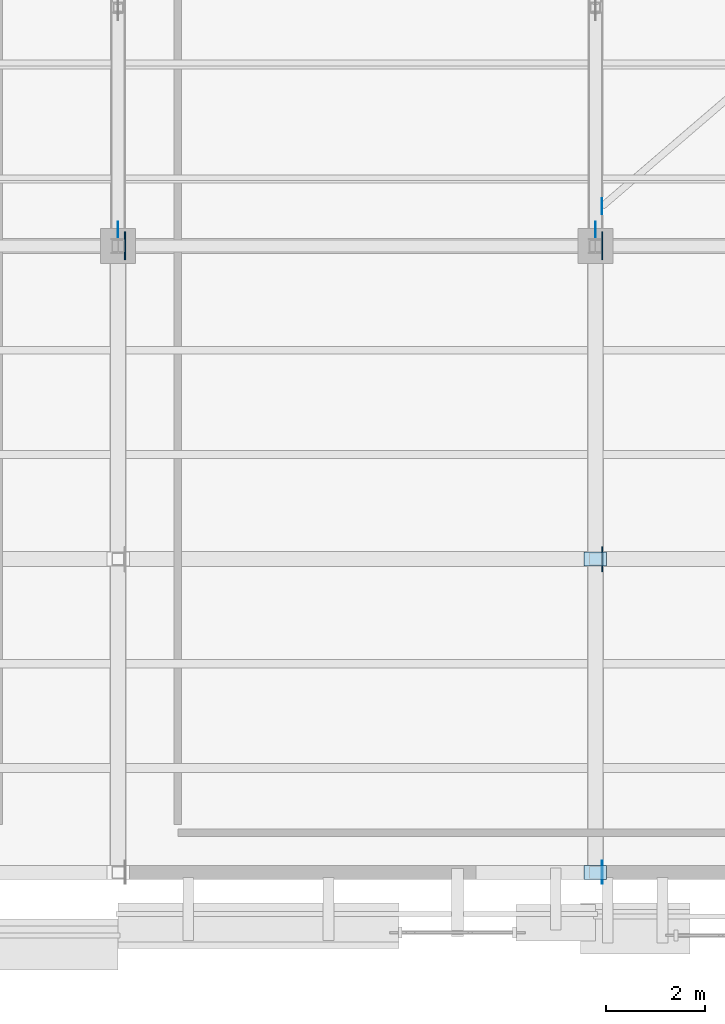
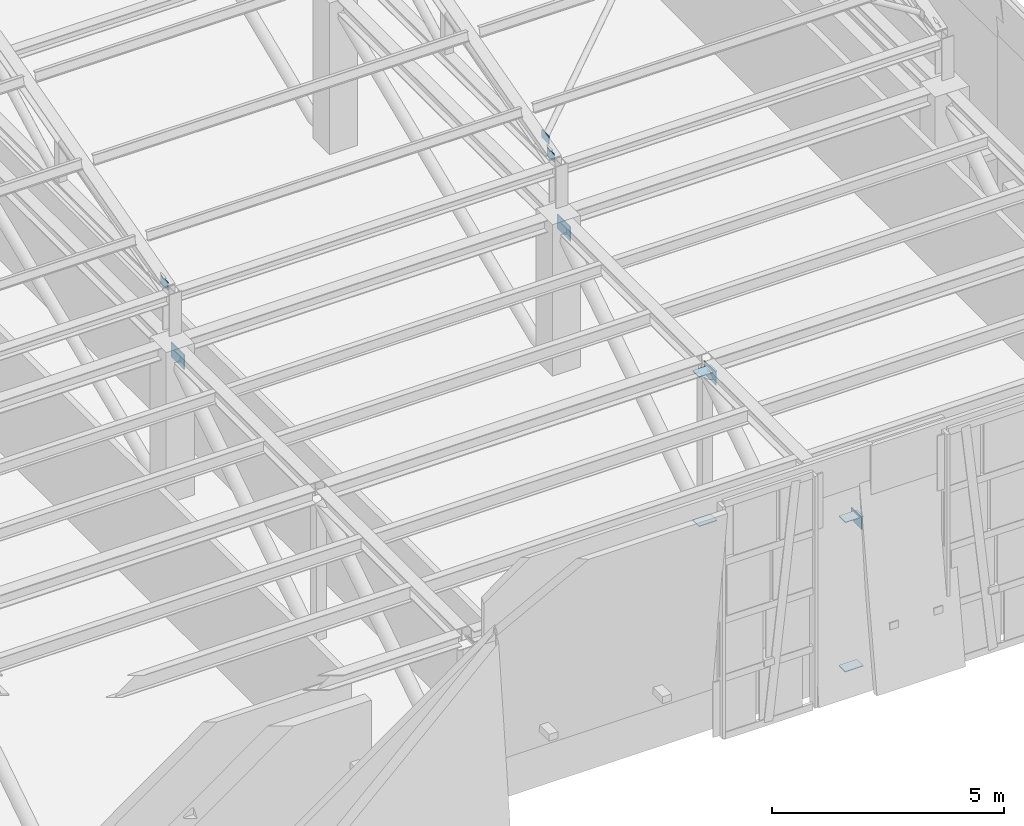
# One storey, part 44 of 71: 11 plates.
"""IFC4 building model written with IfcOpenShell, lengths in metres."""

import ifcopenshell
import ifcopenshell.guid

model = None  # the IFC model being written
_history = None  # IfcOwnerHistory: only IFC2X3 demands one
_inside = {}  # id of a spatial element -> (the spatial element, [elements in it])
_under = {}  # id of a project, library or spatial element -> (it, [spatial elements below it])
_declared = {}  # id of a project -> (the project, [libraries it declares])
_typed = {}  # id of a type object -> (the type object, [elements of that type])
_made_of = {}  # id of a material, layer set ... -> (it, [elements and type objects made of it])


def new_model(schema):
    """Start an empty IFC model of exactly this schema.

    Asked for "IFC4X3", IfcOpenShell would pick the latest addendum, in which some entities
    have other attributes; the version numbers below select the first issue.
    IFC2X3 requires an IfcOwnerHistory on every rooted entity: one is made here for all.
    """
    global model, _history
    if schema == "IFC4X3":
        model = ifcopenshell.file(schema_version=(4, 3, 0, 0))
    else:
        model = ifcopenshell.file(schema=schema)
    _inside.clear()
    _under.clear()
    _declared.clear()
    _typed.clear()
    _made_of.clear()
    _history = None
    if model.schema == "IFC2X3":
        org = make("IfcOrganization", Name="unknown")
        user = make(
            "IfcPersonAndOrganization",
            ThePerson=make("IfcPerson", FamilyName="unknown"),
            TheOrganization=org,
        )
        app = make(
            "IfcApplication",
            ApplicationDeveloper=org,
            Version="unknown",
            ApplicationFullName="unknown",
            ApplicationIdentifier="unknown",
        )
        _history = make(
            "IfcOwnerHistory",
            OwningUser=user,
            OwningApplication=app,
            ChangeAction="ADDED",
            CreationDate=0,
        )
    return model


def make(cls, **values):
    """One entity of the class cls with the attributes given. An attribute that is None is left unset."""
    return model.create_entity(
        cls, **{name: value for name, value in values.items() if value is not None}
    )


def rooted(cls, **values):
    """An entity with a GlobalId (a new one), such as an element, a storey or a relation."""
    return make(cls, GlobalId=ifcopenshell.guid.new(), OwnerHistory=_history, **values)


def si_unit(unit_type, name, prefix=None):
    """IfcSIUnit, for example si_unit("LENGTHUNIT", "METRE", prefix="MILLI")."""
    return make("IfcSIUnit", UnitType=unit_type, Prefix=prefix, Name=name)


def assignment(units):
    """IfcUnitAssignment: the units of a project."""
    return None if units is None else make("IfcUnitAssignment", Units=units)


def point(xyz):
    """IfcCartesianPoint."""
    return None if xyz is None else make("IfcCartesianPoint", Coordinates=xyz)


def direction(xyz):
    """IfcDirection."""
    return None if xyz is None else make("IfcDirection", DirectionRatios=xyz)


def frame(location, z_axis=None, x_axis=None):
    """IfcAxis2Placement3D, a coordinate frame: its origin and axes. An axis left out is left unset."""
    return make(
        "IfcAxis2Placement3D",
        Location=point(location),
        Axis=direction(z_axis),
        RefDirection=direction(x_axis),
    )


def frame_2d(location, x_axis=None):
    """IfcAxis2Placement2D, a coordinate frame in the plane: its origin and x axis."""
    return make(
        "IfcAxis2Placement2D", Location=point(location), RefDirection=direction(x_axis)
    )


def origin():
    """The frame at (0, 0, 0) with its axes left unset."""
    return frame((0.0, 0.0, 0.0))


def origin_2d():
    """The frame at (0, 0) in the plane with its x axis left unset."""
    return frame_2d((0.0, 0.0))


def place(relative_to, where):
    """IfcLocalPlacement: puts the frame where relative to a parent placement (None: the world)."""
    return make(
        "IfcLocalPlacement", PlacementRelTo=relative_to, RelativePlacement=where
    )


def context(
    kind, dimensions, precision=None, world=None, true_north=None, identifier=None
):
    """IfcGeometricRepresentationContext, for example the 3D "Model" context."""
    return make(
        "IfcGeometricRepresentationContext",
        ContextIdentifier=identifier,
        ContextType=kind,
        CoordinateSpaceDimension=dimensions,
        Precision=precision,
        WorldCoordinateSystem=world,
        TrueNorth=true_north,
    )


def subcontext(parent, identifier, kind, view, scale=None):
    """IfcGeometricRepresentationSubContext, for example "Body" below "Model"."""
    return make(
        "IfcGeometricRepresentationSubContext",
        ContextIdentifier=identifier,
        ContextType=kind,
        ParentContext=parent,
        TargetScale=scale,
        TargetView=view,
    )


def project(units=None, contexts=None):
    """IfcProject with its units and contexts."""
    return rooted(
        "IfcProject",
        Name="project",
        RepresentationContexts=contexts,
        UnitsInContext=assignment(units),
    )


def spatial(cls, under=None, at=None, **own):
    """A site, building, storey or space (cls), placed at a placement, below another one or the project."""
    s = rooted(cls, ObjectPlacement=at, **own)
    if under is not None:
        _under.setdefault(under.id(), (under, []))[1].append(s)
    return s


def profile(cls, at=None, kind="AREA", **sizes):
    """A parametric profile (cls). Its sizes go by their IFC names, for example OverallWidth=200.0."""
    return make(cls, ProfileType=kind, Position=at, **sizes)


def rectangle(**sizes):
    """IfcRectangleProfileDef."""
    return profile("IfcRectangleProfileDef", **sizes)


def extrude(swept, where, along, depth):
    """IfcExtrudedAreaSolid: the profile swept, set in the frame where, extruded along a direction by depth."""
    return make(
        "IfcExtrudedAreaSolid",
        SweptArea=swept,
        Position=where,
        ExtrudedDirection=direction(along),
        Depth=depth,
    )


def shape(context_of_items, identifier, shape_type, items):
    """IfcShapeRepresentation: the items that make up one representation, for example the "Body"."""
    return make(
        "IfcShapeRepresentation",
        ContextOfItems=context_of_items,
        RepresentationIdentifier=identifier,
        RepresentationType=shape_type,
        Items=items,
    )


def material(Name=None, Category=None):
    """IfcMaterial."""
    return make("IfcMaterial", Name=Name, Category=Category)


def layer(
    of_material, thickness, ventilated=None, Name=None, Category=None, Priority=None
):
    """IfcMaterialLayer: one layer of a wall or slab, of a material (None: an air gap)."""
    return make(
        "IfcMaterialLayer",
        Material=of_material,
        LayerThickness=thickness,
        IsVentilated=ventilated,
        Name=Name,
        Category=Category,
        Priority=Priority,
    )


def layer_set(layers, Name=None):
    """IfcMaterialLayerSet."""
    return make("IfcMaterialLayerSet", MaterialLayers=layers, LayerSetName=Name)


def made_of(thing, what):
    """Note that an element or type object is made of a material, layer set ...; save() writes the relation."""
    if what is not None:
        _made_of.setdefault(what.id(), (what, []))[1].append(thing)
    return thing


def type_object(cls, material=None, **own):
    """A type object (cls), such as IfcWallType, which elements share."""
    return made_of(rooted(cls, **own), material)


def element(
    cls,
    number,
    at=None,
    inside=None,
    cuts=None,
    type_object=None,
    material=None,
    context=None,
    identifier="Body",
    shape_type=None,
    held_by="IfcProductDefinitionShape",
    body=None,
    shapes=None,
    **own,
):
    """One element of the class cls, such as IfcWall. Its Tag is "e" and its number.

    at: its placement. inside: the storey or other place that contains it. cuts: it is an
    opening in that element (IfcRelVoidsElement). A single representation is given by context,
    identifier, shape_type and body (its items); several are given by shapes. held_by: the class
    of the entity that holds the representations. save() writes the other relations.
    """
    e = rooted(cls, Tag="e%d" % number, ObjectPlacement=at, **own)
    if body is not None:
        shapes = [shape(context, identifier, shape_type, body)]
    if shapes is not None:
        e.Representation = make(held_by, Representations=shapes)
    if inside is not None:
        _inside.setdefault(inside.id(), (inside, []))[1].append(e)
    if cuts is not None:
        rooted(
            "IfcRelVoidsElement", RelatingBuildingElement=cuts, RelatedOpeningElement=e
        )
    if type_object is not None:
        _typed.setdefault(type_object.id(), (type_object, []))[1].append(e)
    return made_of(e, material)


def aggregate(whole, parts):
    """IfcRelAggregates: a whole, such as a stair, and the parts it consists of."""
    return rooted("IfcRelAggregates", RelatingObject=whole, RelatedObjects=parts)


def save(model, path):
    """Write the relations noted so far, then the file.

    IfcRelAggregates (storeys below a building ...), IfcRelContainedInSpatialStructure (elements
    in a storey), IfcRelDefinesByType, IfcRelAssociatesMaterial and IfcRelDeclares: one each for
    every whole, place, type object, material and project.
    """
    for whole, parts in _under.values():
        aggregate(whole, parts)
    for where, things in _inside.values():
        rooted(
            "IfcRelContainedInSpatialStructure",
            RelatedElements=things,
            RelatingStructure=where,
        )
    for kind, things in _typed.values():
        rooted("IfcRelDefinesByType", RelatedObjects=things, RelatingType=kind)
    for what, things in _made_of.values():
        rooted("IfcRelAssociatesMaterial", RelatedObjects=things, RelatingMaterial=what)
    for by, libraries in _declared.values():
        rooted("IfcRelDeclares", RelatingContext=by, RelatedDefinitions=libraries)
    model.write(path)


model = new_model("IFC4")

# Units and contexts
model_context = context("Model", 3, precision=1e-05, world=origin(), true_north=direction((0.0, 1.0)))
body_context = subcontext(model_context, "Body", "Model", "MODEL_VIEW")
ifc_project = project(units=[si_unit("LENGTHUNIT", "METRE"), si_unit("AREAUNIT", "SQUARE_METRE"), si_unit("VOLUMEUNIT", "CUBIC_METRE"), si_unit("PLANEANGLEUNIT", "RADIAN"), si_unit("MASSUNIT", "GRAM", prefix="KILO")], contexts=[model_context])

# Site, building, storey
site_placement = place(None, origin())
site = spatial("IfcSite", under=ifc_project, at=site_placement, CompositionType="ELEMENT")
building_placement = place(site_placement, origin())
building = spatial("IfcBuilding", under=site, at=building_placement, Name="Bempovik Park Faculty of Sciences", CompositionType="ELEMENT")
storey_placement = place(building_placement, frame((0.0, 0.0, 14.10009765625)))
storey = spatial("IfcBuildingStorey", under=building, at=storey_placement, Name="L03", CompositionType="ELEMENT", Elevation=14.10009765625)

# Plates
ifc_material = material(Name="Steel S355", Category="steel")
ifc_layer_1 = layer(ifc_material, 0.02392578125)
ifc_layer_set_1 = layer_set([ifc_layer_1], Name="Steel S355")
plate_type_1 = type_object("IfcPlateType", Name="PL-25 Steel Plate 560x380x24", PredefinedType="SHEET", material=ifc_layer_set_1)
for number, where, z_axis, x_axis, name in (
    (1, (98.5400390625, 19.800048828125, 3.330078125), (0.0, 0.0, 1.0), (1.0, 0.0, 0.0), "Cantilever Gusset Plate CT5-3-T"),
    (2, (108.139892578125, 19.800048828125, 3.330078125), (0.0, 0.0, 1.0), (1.0, 0.0, 0.0), "Cantilever Gusset Plate CT6-3-T"),
):
    element("IfcPlate", number, at=place(storey_placement, frame(where, z_axis=z_axis, x_axis=x_axis)), inside=storey, type_object=plate_type_1, Name=name, PredefinedType="SHEET", context=body_context, shape_type="SweptSolid", body=[
        extrude(rectangle(XDim=0.02392578125, YDim=0.56005859375, at=origin_2d()), origin(), (0.0, 0.0, 1.0), 0.3798828125),
    ])
ifc_layer_2 = layer(ifc_material, 0.011962890625)
ifc_layer_set_2 = layer_set([ifc_layer_2], Name="Steel S355")
plate_type_2 = type_object("IfcPlateType", Name="PL-26 Steel Plate 320x220x12", PredefinedType="SHEET", material=ifc_layer_set_2)
for number, where, z_axis, x_axis, name in (
    (3, (108.135986328125, 20.60009765625, 5.31640625), (0.0, 0.0, 1.0), (1.0, 0.0, 0.0), "Sawtooth X-Brace End Gusset V1-B1-108.0-1"),
    (4, (98.39990234375, 20.1298828125, 5.17578125), (0.0, 0.0, 1.0), (1.0, 0.0, 0.0), "Brace/Strut End Gusset Plate SAW-V1-B1-D1-984-E1"),
    (5, (108.0, 20.1298828125, 5.17578125), (0.0, 0.0, 1.0), (1.0, 0.0, 0.0), "Brace/Strut End Gusset Plate SAW-V1-B1-D1-1080-E1"),
):
    element("IfcPlate", number, at=place(storey_placement, frame(where, z_axis=z_axis, x_axis=x_axis)), inside=storey, type_object=plate_type_2, Name=name, PredefinedType="SHEET", context=body_context, shape_type="SweptSolid", body=[
        extrude(rectangle(XDim=0.011962890625, YDim=0.320068359375, at=origin_2d()), origin(), (0.0, 0.0, 1.0), 0.219970703125),
    ])
ifc_layer_3 = layer(ifc_material, 0.02001953125)
ifc_layer_set_3 = layer_set([ifc_layer_3], Name="Steel S355")
plate_type_3 = type_object("IfcPlateType", Name="PL-30 Steel Plate 460x320x20", PredefinedType="SHEET", material=ifc_layer_set_3)
plate_1_placement = place(storey_placement, frame((108.139892578125, 7.199951171875, 3.35986328125), z_axis=(0.0, 0.0, 1.0), x_axis=(1.0, 0.0, 0.0)))
element("IfcPlate", 6, at=plate_1_placement, inside=storey, type_object=plate_type_3, Name="Cantilever Gusset Plate CT6-1-T", PredefinedType="SHEET", context=body_context, shape_type="SweptSolid", body=[
    extrude(rectangle(XDim=0.02001953125, YDim=0.4599609375, at=origin_2d()), origin(), (0.0, 0.0, 1.0), 0.320068359375),
])
ifc_layer_4 = layer(ifc_material, 0.02001953125)
ifc_layer_set_4 = layer_set([ifc_layer_4], Name="Steel S355")
plate_type_4 = type_object("IfcPlateType", Name="PL-36 Steel Plate 450x280x20", PredefinedType="USERDEFINED", material=ifc_layer_set_4)
for number, where, z_axis, x_axis, name in (
    (7, (108.0, 7.199951171875, 3.61181640625), (0.0, 0.0, 1.0), (1.0, 0.0, 0.0), "Cantilever Post End Cap Plate CT6-1-T"),
    (8, (108.0, 7.199951171875, -0.31201171875), (0.0, 0.0, 1.0), (1.0, 0.0, 0.0), "Cantilever Post End Cap Plate CT6-1-MB"),
    (9, (108.0, 13.5, 3.61181640625), (0.0, 0.0, 1.0), (1.0, 0.0, 0.0), "Cantilever Post End Cap Plate CT6-2-T"),
    (10, (108.0, 13.5, -0.31201171875), (0.0, 0.0, 1.0), (1.0, 0.0, 0.0), "Cantilever Post End Cap Plate CT6-2-MB"),
):
    element("IfcPlate", number, at=place(storey_placement, frame(where, z_axis=z_axis, x_axis=x_axis)), inside=storey, type_object=plate_type_4, Name=name, ObjectType="STIFFENER PLATE", PredefinedType="USERDEFINED", context=body_context, shape_type="SweptSolid", body=[
        extrude(rectangle(XDim=0.449951171875, YDim=0.280029296875, at=origin_2d()), origin(), (0.0, 0.0, 1.0), 0.02001953125),
    ])
ifc_layer_5 = layer(ifc_material, 0.02197265625)
ifc_layer_set_5 = layer_set([ifc_layer_5], Name="Steel S355")
plate_type_5 = type_object("IfcPlateType", Name="PL-46 Steel Plate 500x340x22", PredefinedType="SHEET", material=ifc_layer_set_5)
plate_2_placement = place(storey_placement, frame((108.139892578125, 13.5, 3.35009765625), z_axis=(0.0, 0.0, 1.0), x_axis=(1.0, 0.0, 0.0)))
element("IfcPlate", 11, at=plate_2_placement, inside=storey, type_object=plate_type_5, Name="Cantilever Gusset Plate CT6-2-T", PredefinedType="SHEET", context=body_context, shape_type="SweptSolid", body=[
    extrude(rectangle(XDim=0.02197265625, YDim=0.5, at=origin_2d()), origin(), (0.0, 0.0, 1.0), 0.340087890625),
])

save(model, "model.ifc")
